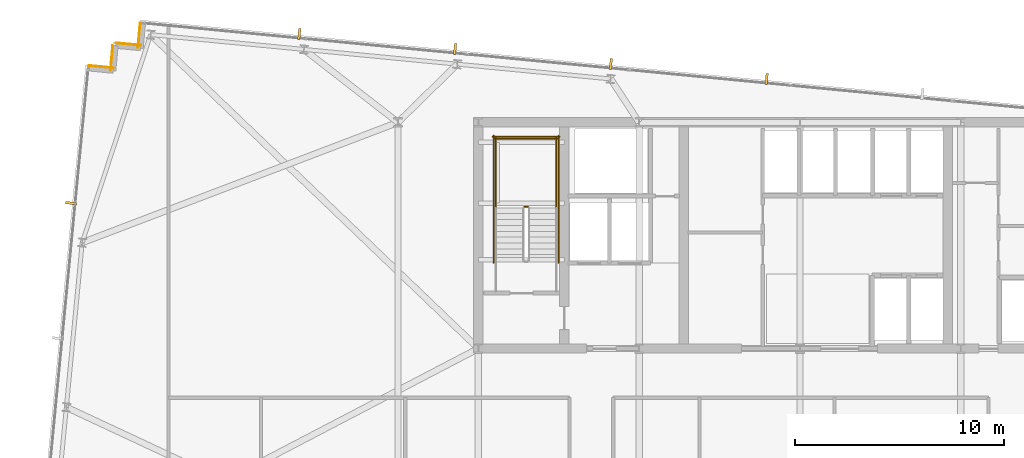
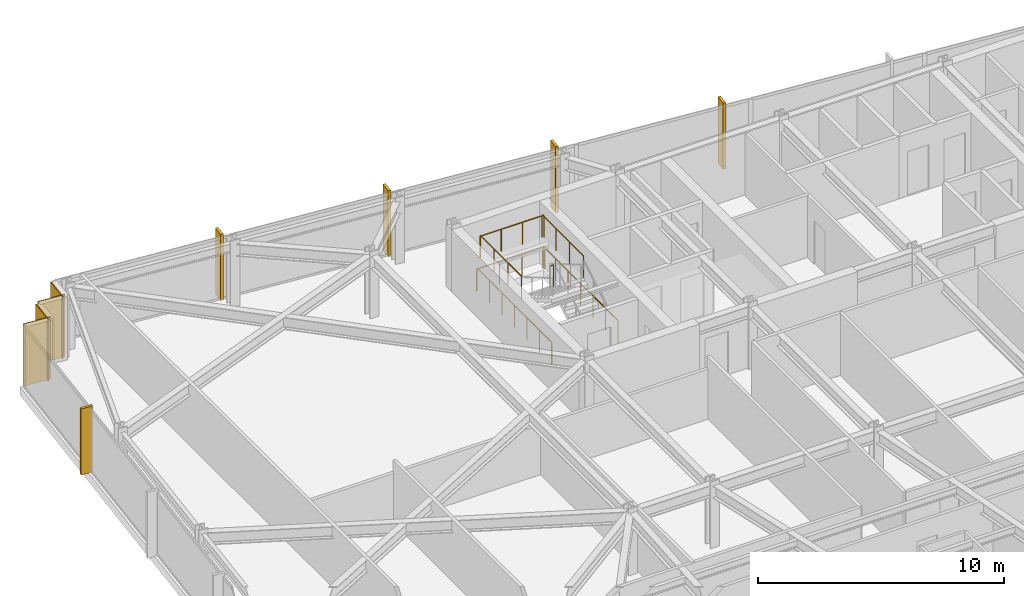
# One storey, part 36 of 37: 7 railings, 5 shading devices, 4 coverings.
"""IFC4 building model written with IfcOpenShell, lengths in metres."""

from ifc_helpers import new_model, si_unit, direction, frame, frame_2d, origin, origin_2d, place, context, subcontext, project, spatial, rectangle, circle, extrude, material, layer, layer_set, type_object, element, save


model = new_model("IFC4")

# Units and contexts
model_context = context("Model", 3, precision=1e-05, world=origin(), true_north=direction((0.0, 1.0)))
body_context = subcontext(model_context, "Body", "Model", "MODEL_VIEW")
ifc_project = project(units=[si_unit("LENGTHUNIT", "METRE"), si_unit("AREAUNIT", "SQUARE_METRE"), si_unit("VOLUMEUNIT", "CUBIC_METRE"), si_unit("PLANEANGLEUNIT", "RADIAN"), si_unit("MASSUNIT", "GRAM", prefix="KILO")], contexts=[model_context])

# Site, building, storey
site_placement = place(None, origin())
site = spatial("IfcSite", under=ifc_project, at=site_placement, CompositionType="ELEMENT")
building_placement = place(site_placement, origin())
building = spatial("IfcBuilding", under=site, at=building_placement, Name="Yelkora Congress Tower", CompositionType="ELEMENT")
storey_placement = place(building_placement, frame((0.0, 0.0, 149.0)))
storey = spatial("IfcBuildingStorey", under=building, at=storey_placement, Name="L40", CompositionType="ELEMENT", Elevation=149.0)

# Coverings
ifc_material_1 = material(Name="Anatolian bush-hammered limestone", Category="masonry")
ifc_layer_1 = layer(ifc_material_1, 0.0400390625)
ifc_layer_set_1 = layer_set([ifc_layer_1], Name="Anatolian bush-hammered limestone")
covering_type = type_object("IfcCoveringType", Name="COV-CLAD-SPANDREL-40", PredefinedType="CLADDING", material=ifc_layer_set_1)
for number, where, z_axis, x_axis, name in (
    (1, (4.423583984375, 48.9130859375, 0.0), (0.0, 0.0, 1.0), (0.995398960025, -0.095817067274, 0.0), "L40 Anatolian Limestone Cladding EW-L40-SR06"),
    (2, (5.470703125, 48.676513671875, 0.0), (0.0, 0.0, 1.0), (0.095817067274, 0.995398960025, 0.0), "L40 Anatolian Limestone Cladding EW-L40-SR07"),
):
    element("IfcCovering", number, at=place(storey_placement, frame(where, z_axis=z_axis, x_axis=x_axis)), inside=storey, type_object=covering_type, Name=name, PredefinedType="CLADDING", context=body_context, shape_type="SweptSolid", body=[
        extrude(rectangle(XDim=1.2001953125, YDim=0.0400390625, at=frame_2d((0.60009765625, 0.0))), origin(), (0.0, 0.0, 1.0), 3.080078125),
    ])
covering_1_placement = place(storey_placement, frame((5.733154296875, 49.992431640625, 0.0), z_axis=(0.0, 0.0, 1.0), x_axis=(0.995397091755, -0.095836473879, 0.0)))
element("IfcCovering", 3, at=covering_1_placement, inside=storey, type_object=covering_type, Name="L40 Anatolian Limestone Cladding EW-L40-SR08", PredefinedType="CLADDING", context=body_context, shape_type="SweptSolid", body=[
    extrude(rectangle(XDim=1.199951171875, YDim=0.0400390625, at=frame_2d((0.60009765625, 0.0))), origin(), (0.0, 0.0, 1.0), 3.080078125),
])
covering_2_placement = place(storey_placement, frame((6.780029296875, 49.756103515625, 0.0), z_axis=(0.0, 0.0, 1.0), x_axis=(0.096018626938, 0.995379537303, 0.0)))
element("IfcCovering", 4, at=covering_2_placement, inside=storey, type_object=covering_type, Name="L40 Anatolian Limestone Cladding EW-L40-SR09", PredefinedType="CLADDING", context=body_context, shape_type="SweptSolid", body=[
    extrude(rectangle(XDim=1.2001953125, YDim=0.0400390625, at=frame_2d((0.60009765625, 0.0))), origin(), (0.0, 0.0, 1.0), 3.080078125),
])

# Railings
ifc_material_2 = material(Name="Painted galvanised steel stair well guard with vertical infill", Category="steel")
ifc_layer_2 = layer(ifc_material_2, 0.06005859375)
ifc_layer_set_2 = layer_set([ifc_layer_2], Name="Painted galvanised steel stair well guard with vertical infill")
railing_type = type_object("IfcRailingType", Name="RAIL-STAIR-GUARD-1120", PredefinedType="GUARDRAIL", material=ifc_layer_set_2)
railing_1_placement = place(storey_placement, frame((25.39990234375, 42.169921875, 1.64990234375)))
element("IfcRailing", 5, at=railing_1_placement, inside=storey, type_object=railing_type, Name="ST-01 L40 Stair Well Guardrail 2", PredefinedType="GUARDRAIL", context=body_context, shape_type="SweptSolid", body=[
    extrude(circle(Radius=0.02392578125, at=origin_2d()), frame((0.0, 0.0, 1.09619140625), z_axis=(-1.0, 0.0, 0.0), x_axis=(0.0, -1.0, 0.0)), (0.0, 0.0, 1.0), 0.159912109375),
    extrude(circle(Radius=0.02099609375, at=origin_2d()), origin(), (0.0, 0.0, 1.0), 1.072021484375),
    extrude(circle(Radius=0.02099609375, at=origin_2d()), frame((-0.159912109375, 0.0, 0.0)), (0.0, 0.0, 1.0), 1.072021484375),
])
for number, where, name in (
    (6, (26.77001953125, 42.1201171875, 1.64990234375), "ST-01 L40 Stair Well Guardrail 3"),
    (7, (23.8701171875, 42.1201171875, 1.64990234375), "ST-01 L40 Stair Well Guardrail 4"),
):
    element("IfcRailing", number, at=place(storey_placement, frame(where)), inside=storey, type_object=railing_type, Name=name, PredefinedType="GUARDRAIL", context=body_context, shape_type="SweptSolid", body=[
        extrude(circle(Radius=0.02392578125, at=origin_2d()), frame((0.0, 0.0, 1.09619140625), z_axis=(0.0, 1.0, 0.0), x_axis=(-1.0, 0.0, 0.0)), (0.0, 0.0, 1.0), 3.349853515625),
        extrude(circle(Radius=0.02099609375, at=origin_2d()), origin(), (0.0, 0.0, 1.0), 1.072021484375),
        extrude(circle(Radius=0.02099609375, at=origin_2d()), frame((0.0, 1.11669921875, 0.0)), (0.0, 0.0, 1.0), 1.072021484375),
        extrude(circle(Radius=0.02099609375, at=origin_2d()), frame((0.0, 2.233154296875, 0.0)), (0.0, 0.0, 1.0), 1.072021484375),
        extrude(circle(Radius=0.02099609375, at=origin_2d()), frame((0.0, 3.349853515625, 0.0)), (0.0, 0.0, 1.0), 1.072021484375),
    ])
railing_2_placement = place(storey_placement, frame((26.820068359375, 45.419921875, 1.64990234375)))
element("IfcRailing", 8, at=railing_2_placement, inside=storey, type_object=railing_type, Name="ST-01 L40 Stair Well Guardrail 5", PredefinedType="GUARDRAIL", context=body_context, shape_type="SweptSolid", body=[
    extrude(circle(Radius=0.02392578125, at=origin_2d()), frame((0.0, 0.0, 1.09619140625), z_axis=(-1.0, 0.0, 0.0), x_axis=(0.0, -1.0, 0.0)), (0.0, 0.0, 1.0), 3.0),
    extrude(circle(Radius=0.02099609375, at=origin_2d()), origin(), (0.0, 0.0, 1.0), 1.072021484375),
    extrude(circle(Radius=0.02099609375, at=origin_2d()), frame((-1.0, 0.0, 0.0)), (0.0, 0.0, 1.0), 1.072021484375),
    extrude(circle(Radius=0.02099609375, at=origin_2d()), frame((-2.0, 0.0, 0.0)), (0.0, 0.0, 1.0), 1.072021484375),
    extrude(circle(Radius=0.02099609375, at=origin_2d()), frame((-3.0, 0.0, 0.0)), (0.0, 0.0, 1.0), 1.072021484375),
])
for number, where, name in (
    (9, (26.8701171875, 39.5, 0.0), "ST-01 L40 Stair Well Guardrail 10"),
    (10, (23.77001953125, 39.5, 0.0), "ST-01 L40 Stair Well Guardrail 11"),
):
    element("IfcRailing", number, at=place(storey_placement, frame(where)), inside=storey, type_object=railing_type, Name=name, PredefinedType="GUARDRAIL", context=body_context, shape_type="SweptSolid", body=[
        extrude(circle(Radius=0.02392578125, at=origin_2d()), frame((0.0, 0.0, 1.09619140625), z_axis=(0.0, 1.0, 0.0), x_axis=(-1.0, 0.0, 0.0)), (0.0, 0.0, 1.0), 6.070068359375),
        extrude(circle(Radius=0.02099609375, at=origin_2d()), origin(), (0.0, 0.0, 1.0), 1.072021484375),
        extrude(circle(Radius=0.02099609375, at=origin_2d()), frame((0.0, 1.01171875, 0.0)), (0.0, 0.0, 1.0), 1.072021484375),
        extrude(circle(Radius=0.02099609375, at=origin_2d()), frame((0.0, 2.0234375, 0.0)), (0.0, 0.0, 1.0), 1.072021484375),
        extrude(circle(Radius=0.02099609375, at=origin_2d()), frame((0.0, 3.03515625, 0.0)), (0.0, 0.0, 1.0), 1.072021484375),
        extrude(circle(Radius=0.02099609375, at=origin_2d()), frame((0.0, 4.046630859375, 0.0)), (0.0, 0.0, 1.0), 1.072021484375),
        extrude(circle(Radius=0.02099609375, at=origin_2d()), frame((0.0, 5.058349609375, 0.0)), (0.0, 0.0, 1.0), 1.072021484375),
        extrude(circle(Radius=0.02099609375, at=origin_2d()), frame((0.0, 6.070068359375, 0.0)), (0.0, 0.0, 1.0), 1.072021484375),
    ])
railing_3_placement = place(storey_placement, frame((26.919921875, 45.52001953125, 0.0)))
element("IfcRailing", 11, at=railing_3_placement, inside=storey, type_object=railing_type, Name="ST-01 L40 Stair Well Guardrail 12", PredefinedType="GUARDRAIL", context=body_context, shape_type="SweptSolid", body=[
    extrude(circle(Radius=0.02392578125, at=origin_2d()), frame((0.0, 0.0, 1.09619140625), z_axis=(-1.0, 0.0, 0.0), x_axis=(0.0, -1.0, 0.0)), (0.0, 0.0, 1.0), 3.199951171875),
    extrude(circle(Radius=0.02099609375, at=origin_2d()), origin(), (0.0, 0.0, 1.0), 1.072021484375),
    extrude(circle(Radius=0.02099609375, at=origin_2d()), frame((-1.066650390625, 0.0, 0.0)), (0.0, 0.0, 1.0), 1.072021484375),
    extrude(circle(Radius=0.02099609375, at=origin_2d()), frame((-2.13330078125, 0.0, 0.0)), (0.0, 0.0, 1.0), 1.072021484375),
    extrude(circle(Radius=0.02099609375, at=origin_2d()), frame((-3.199951171875, 0.0, 0.0)), (0.0, 0.0, 1.0), 1.072021484375),
])

# Shading devices
ifc_material_3 = material(Name="Champagne anodised aluminium", Category="aluminium")
ifc_layer_3 = layer(ifc_material_3, 3.300048828125)
ifc_layer_set_3 = layer_set([ifc_layer_3], Name="Champagne anodised aluminium")
shading_device_type = type_object("IfcShadingDeviceType", Name="SHD-FIN-ALU-520", PredefinedType="USERDEFINED", material=ifc_layer_set_3)
for number, where, z_axis, x_axis, name in (
    (12, (3.590087890625, 42.34375, -0.02978515625), (0.0, 0.0, 1.0), (0.09584575252, 0.995396198367, 0.0), "L40 Vertical Anodised Solar Fin 5-4"),
    (13, (14.48876953125, 50.42041015625, -0.02978515625), (0.0, 0.0, 1.0), (0.995396198367, -0.09584575252, 0.0), "L40 Vertical Anodised Solar Fin 10-1"),
    (14, (21.928466796875, 49.703857421875, -0.02978515625), (0.0, 0.0, 1.0), (0.995396198367, -0.09584575252, 0.0), "L40 Vertical Anodised Solar Fin 10-2"),
    (15, (29.368408203125, 48.987548828125, -0.02978515625), (0.0, 0.0, 1.0), (0.995396198367, -0.09584575252, 0.0), "L40 Vertical Anodised Solar Fin 10-3"),
    (16, (36.808349609375, 48.271240234375, -0.02978515625), (0.0, 0.0, 1.0), (0.995396198367, -0.09584575252, 0.0), "L40 Vertical Anodised Solar Fin 10-4"),
):
    element("IfcShadingDevice", number, at=place(storey_placement, frame(where, z_axis=z_axis, x_axis=x_axis)), inside=storey, type_object=shading_device_type, Name=name, ObjectType="FIN", PredefinedType="USERDEFINED", context=body_context, shape_type="SweptSolid", body=[
        extrude(rectangle(XDim=0.1201171875, YDim=0.52001953125, at=origin_2d()), origin(), (0.0, 0.0, 1.0), 3.280029296875),
    ])

save(model, "model.ifc")
